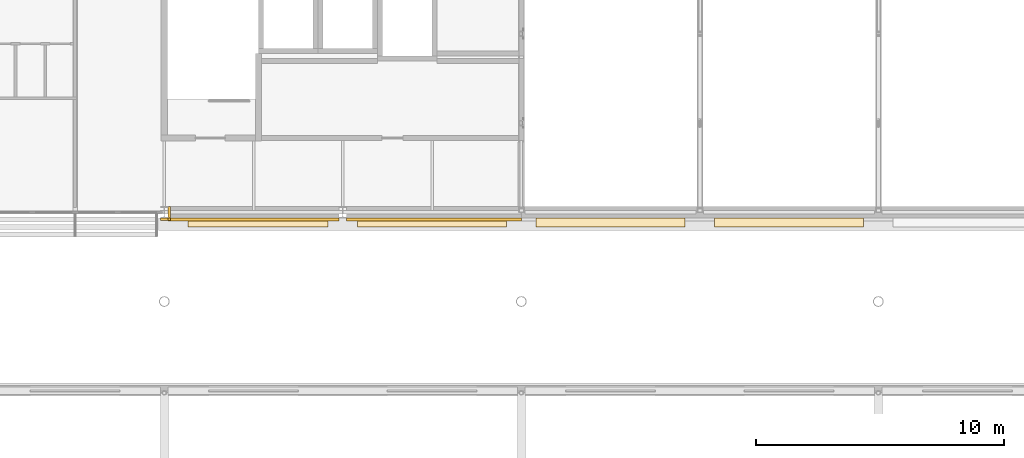
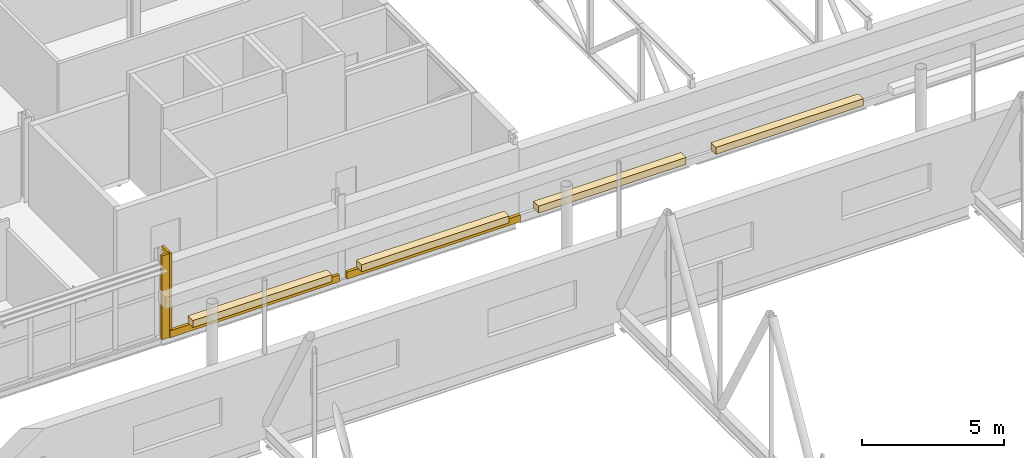
# One storey, part 136 of 142: 9 coverings.
"""IFC4 building model written with IfcOpenShell, lengths in metres."""

import ifcopenshell
import ifcopenshell.guid

model = None  # the IFC model being written
_history = None  # IfcOwnerHistory: only IFC2X3 demands one
_inside = {}  # id of a spatial element -> (the spatial element, [elements in it])
_under = {}  # id of a project, library or spatial element -> (it, [spatial elements below it])
_declared = {}  # id of a project -> (the project, [libraries it declares])
_typed = {}  # id of a type object -> (the type object, [elements of that type])
_made_of = {}  # id of a material, layer set ... -> (it, [elements and type objects made of it])


def new_model(schema):
    """Start an empty IFC model of exactly this schema.

    Asked for "IFC4X3", IfcOpenShell would pick the latest addendum, in which some entities
    have other attributes; the version numbers below select the first issue.
    IFC2X3 requires an IfcOwnerHistory on every rooted entity: one is made here for all.
    """
    global model, _history
    if schema == "IFC4X3":
        model = ifcopenshell.file(schema_version=(4, 3, 0, 0))
    else:
        model = ifcopenshell.file(schema=schema)
    _inside.clear()
    _under.clear()
    _declared.clear()
    _typed.clear()
    _made_of.clear()
    _history = None
    if model.schema == "IFC2X3":
        org = make("IfcOrganization", Name="unknown")
        user = make(
            "IfcPersonAndOrganization",
            ThePerson=make("IfcPerson", FamilyName="unknown"),
            TheOrganization=org,
        )
        app = make(
            "IfcApplication",
            ApplicationDeveloper=org,
            Version="unknown",
            ApplicationFullName="unknown",
            ApplicationIdentifier="unknown",
        )
        _history = make(
            "IfcOwnerHistory",
            OwningUser=user,
            OwningApplication=app,
            ChangeAction="ADDED",
            CreationDate=0,
        )
    return model


def make(cls, **values):
    """One entity of the class cls with the attributes given. An attribute that is None is left unset."""
    return model.create_entity(
        cls, **{name: value for name, value in values.items() if value is not None}
    )


def rooted(cls, **values):
    """An entity with a GlobalId (a new one), such as an element, a storey or a relation."""
    return make(cls, GlobalId=ifcopenshell.guid.new(), OwnerHistory=_history, **values)


def si_unit(unit_type, name, prefix=None):
    """IfcSIUnit, for example si_unit("LENGTHUNIT", "METRE", prefix="MILLI")."""
    return make("IfcSIUnit", UnitType=unit_type, Prefix=prefix, Name=name)


def assignment(units):
    """IfcUnitAssignment: the units of a project."""
    return None if units is None else make("IfcUnitAssignment", Units=units)


def point(xyz):
    """IfcCartesianPoint."""
    return None if xyz is None else make("IfcCartesianPoint", Coordinates=xyz)


def direction(xyz):
    """IfcDirection."""
    return None if xyz is None else make("IfcDirection", DirectionRatios=xyz)


def frame(location, z_axis=None, x_axis=None):
    """IfcAxis2Placement3D, a coordinate frame: its origin and axes. An axis left out is left unset."""
    return make(
        "IfcAxis2Placement3D",
        Location=point(location),
        Axis=direction(z_axis),
        RefDirection=direction(x_axis),
    )


def frame_2d(location, x_axis=None):
    """IfcAxis2Placement2D, a coordinate frame in the plane: its origin and x axis."""
    return make(
        "IfcAxis2Placement2D", Location=point(location), RefDirection=direction(x_axis)
    )


def origin():
    """The frame at (0, 0, 0) with its axes left unset."""
    return frame((0.0, 0.0, 0.0))


def origin_2d():
    """The frame at (0, 0) in the plane with its x axis left unset."""
    return frame_2d((0.0, 0.0))


def place(relative_to, where):
    """IfcLocalPlacement: puts the frame where relative to a parent placement (None: the world)."""
    return make(
        "IfcLocalPlacement", PlacementRelTo=relative_to, RelativePlacement=where
    )


def context(
    kind, dimensions, precision=None, world=None, true_north=None, identifier=None
):
    """IfcGeometricRepresentationContext, for example the 3D "Model" context."""
    return make(
        "IfcGeometricRepresentationContext",
        ContextIdentifier=identifier,
        ContextType=kind,
        CoordinateSpaceDimension=dimensions,
        Precision=precision,
        WorldCoordinateSystem=world,
        TrueNorth=true_north,
    )


def subcontext(parent, identifier, kind, view, scale=None):
    """IfcGeometricRepresentationSubContext, for example "Body" below "Model"."""
    return make(
        "IfcGeometricRepresentationSubContext",
        ContextIdentifier=identifier,
        ContextType=kind,
        ParentContext=parent,
        TargetScale=scale,
        TargetView=view,
    )


def project(units=None, contexts=None):
    """IfcProject with its units and contexts."""
    return rooted(
        "IfcProject",
        Name="project",
        RepresentationContexts=contexts,
        UnitsInContext=assignment(units),
    )


def spatial(cls, under=None, at=None, **own):
    """A site, building, storey or space (cls), placed at a placement, below another one or the project."""
    s = rooted(cls, ObjectPlacement=at, **own)
    if under is not None:
        _under.setdefault(under.id(), (under, []))[1].append(s)
    return s


def profile(cls, at=None, kind="AREA", **sizes):
    """A parametric profile (cls). Its sizes go by their IFC names, for example OverallWidth=200.0."""
    return make(cls, ProfileType=kind, Position=at, **sizes)


def rectangle(**sizes):
    """IfcRectangleProfileDef."""
    return profile("IfcRectangleProfileDef", **sizes)


def extrude(swept, where, along, depth):
    """IfcExtrudedAreaSolid: the profile swept, set in the frame where, extruded along a direction by depth."""
    return make(
        "IfcExtrudedAreaSolid",
        SweptArea=swept,
        Position=where,
        ExtrudedDirection=direction(along),
        Depth=depth,
    )


def shape(context_of_items, identifier, shape_type, items):
    """IfcShapeRepresentation: the items that make up one representation, for example the "Body"."""
    return make(
        "IfcShapeRepresentation",
        ContextOfItems=context_of_items,
        RepresentationIdentifier=identifier,
        RepresentationType=shape_type,
        Items=items,
    )


def material(Name=None, Category=None):
    """IfcMaterial."""
    return make("IfcMaterial", Name=Name, Category=Category)


def layer(
    of_material, thickness, ventilated=None, Name=None, Category=None, Priority=None
):
    """IfcMaterialLayer: one layer of a wall or slab, of a material (None: an air gap)."""
    return make(
        "IfcMaterialLayer",
        Material=of_material,
        LayerThickness=thickness,
        IsVentilated=ventilated,
        Name=Name,
        Category=Category,
        Priority=Priority,
    )


def layer_set(layers, Name=None):
    """IfcMaterialLayerSet."""
    return make("IfcMaterialLayerSet", MaterialLayers=layers, LayerSetName=Name)


def made_of(thing, what):
    """Note that an element or type object is made of a material, layer set ...; save() writes the relation."""
    if what is not None:
        _made_of.setdefault(what.id(), (what, []))[1].append(thing)
    return thing


def type_object(cls, material=None, **own):
    """A type object (cls), such as IfcWallType, which elements share."""
    return made_of(rooted(cls, **own), material)


def element(
    cls,
    number,
    at=None,
    inside=None,
    cuts=None,
    type_object=None,
    material=None,
    context=None,
    identifier="Body",
    shape_type=None,
    held_by="IfcProductDefinitionShape",
    body=None,
    shapes=None,
    **own,
):
    """One element of the class cls, such as IfcWall. Its Tag is "e" and its number.

    at: its placement. inside: the storey or other place that contains it. cuts: it is an
    opening in that element (IfcRelVoidsElement). A single representation is given by context,
    identifier, shape_type and body (its items); several are given by shapes. held_by: the class
    of the entity that holds the representations. save() writes the other relations.
    """
    e = rooted(cls, Tag="e%d" % number, ObjectPlacement=at, **own)
    if body is not None:
        shapes = [shape(context, identifier, shape_type, body)]
    if shapes is not None:
        e.Representation = make(held_by, Representations=shapes)
    if inside is not None:
        _inside.setdefault(inside.id(), (inside, []))[1].append(e)
    if cuts is not None:
        rooted(
            "IfcRelVoidsElement", RelatingBuildingElement=cuts, RelatedOpeningElement=e
        )
    if type_object is not None:
        _typed.setdefault(type_object.id(), (type_object, []))[1].append(e)
    return made_of(e, material)


def aggregate(whole, parts):
    """IfcRelAggregates: a whole, such as a stair, and the parts it consists of."""
    return rooted("IfcRelAggregates", RelatingObject=whole, RelatedObjects=parts)


def save(model, path):
    """Write the relations noted so far, then the file.

    IfcRelAggregates (storeys below a building ...), IfcRelContainedInSpatialStructure (elements
    in a storey), IfcRelDefinesByType, IfcRelAssociatesMaterial and IfcRelDeclares: one each for
    every whole, place, type object, material and project.
    """
    for whole, parts in _under.values():
        aggregate(whole, parts)
    for where, things in _inside.values():
        rooted(
            "IfcRelContainedInSpatialStructure",
            RelatedElements=things,
            RelatingStructure=where,
        )
    for kind, things in _typed.values():
        rooted("IfcRelDefinesByType", RelatedObjects=things, RelatingType=kind)
    for what, things in _made_of.values():
        rooted("IfcRelAssociatesMaterial", RelatedObjects=things, RelatingMaterial=what)
    for by, libraries in _declared.values():
        rooted("IfcRelDeclares", RelatingContext=by, RelatedDefinitions=libraries)
    model.write(path)


model = new_model("IFC4")

# Units and contexts
model_context = context("Model", 3, precision=1e-05, world=origin(), true_north=direction((0.0, 1.0)))
body_context = subcontext(model_context, "Body", "Model", "MODEL_VIEW")
ifc_project = project(units=[si_unit("LENGTHUNIT", "METRE"), si_unit("AREAUNIT", "SQUARE_METRE"), si_unit("VOLUMEUNIT", "CUBIC_METRE"), si_unit("PLANEANGLEUNIT", "RADIAN"), si_unit("MASSUNIT", "GRAM", prefix="KILO")], contexts=[model_context])

# Site, building, storey
site_placement = place(None, origin())
site = spatial("IfcSite", under=ifc_project, at=site_placement, CompositionType="ELEMENT")
building_placement = place(site_placement, origin())
building = spatial("IfcBuilding", under=site, at=building_placement, Name="Kupolbacken Congress Centre", CompositionType="ELEMENT")
storey_placement = place(building_placement, frame((0.0, 0.0, 14.39990234375)))
storey = spatial("IfcBuildingStorey", under=building, at=storey_placement, Name="L04", CompositionType="ELEMENT", Elevation=14.39990234375)

# Coverings
ifc_material_1 = material(Name="Limestone cladding", Category="masonry")
ifc_layer_1 = layer(ifc_material_1, 0.1201171875)
ifc_layer_set_1 = layer_set([ifc_layer_1], Name="Limestone cladding")
covering_type_1 = type_object("IfcCoveringType", Name="CV1 limestone cladding band 120", PredefinedType="CLADDING", material=ifc_layer_set_1)
covering_1_placement = place(storey_placement, frame((140.39990234375, 122.10009765625, 0.0), z_axis=(0.0, 0.0, 1.0), x_axis=(1.0, 0.0, 0.0)))
element("IfcCovering", 1, at=covering_1_placement, inside=storey, type_object=covering_type_1, Name="E/BF/S/L04/404/band", PredefinedType="CLADDING", context=body_context, shape_type="SweptSolid", body=[
    extrude(rectangle(XDim=6.89990234375, YDim=0.1201171875, at=origin_2d()), origin(), (0.0, 0.0, 1.0), 0.300048828125),
])
covering_2_placement = place(storey_placement, frame((147.675048828125, 122.10009765625, 0.0), z_axis=(0.0, 0.0, 1.0), x_axis=(1.0, 0.0, 0.0)))
element("IfcCovering", 2, at=covering_2_placement, inside=storey, type_object=covering_type_1, Name="E/BF/S/L04/405/band", PredefinedType="CLADDING", context=body_context, shape_type="SweptSolid", body=[
    extrude(rectangle(XDim=7.050048828125, YDim=0.1201171875, at=origin_2d()), origin(), (0.0, 0.0, 1.0), 0.300048828125),
])
covering_3_placement = place(storey_placement, frame((137.0, 122.125, 0.0), z_axis=(0.0, 0.0, 1.0), x_axis=(1.0, 0.0, 0.0)))
element("IfcCovering", 3, at=covering_3_placement, inside=storey, type_object=covering_type_1, Name="E/T/pilaster/L04/C-T-20T/corner", PredefinedType="CLADDING", context=body_context, shape_type="SweptSolid", body=[
    extrude(rectangle(XDim=0.10009765625, YDim=0.10009765625, at=origin_2d()), origin(), (0.0, 0.0, 1.0), 3.60009765625),
])
covering_4_placement = place(storey_placement, frame((137.0, 122.39990234375, 0.0), z_axis=(0.0, 0.0, 1.0), x_axis=(1.0, 0.0, 0.0)))
element("IfcCovering", 4, at=covering_4_placement, inside=storey, type_object=covering_type_1, Name="E/T/pilaster/L04/C-T-20T/E", PredefinedType="CLADDING", context=body_context, shape_type="SweptSolid", body=[
    extrude(rectangle(XDim=0.10009765625, YDim=0.449951171875, at=origin_2d()), origin(), (0.0, 0.0, 1.0), 3.60009765625),
])
covering_5_placement = place(storey_placement, frame((136.800048828125, 122.125, 0.0), z_axis=(0.0, 0.0, 1.0), x_axis=(1.0, 0.0, 0.0)))
element("IfcCovering", 5, at=covering_5_placement, inside=storey, type_object=covering_type_1, Name="E/T/pilaster/L04/C-T-20T/S", PredefinedType="CLADDING", context=body_context, shape_type="SweptSolid", body=[
    extrude(rectangle(XDim=0.300048828125, YDim=0.10009765625, at=origin_2d()), origin(), (0.0, 0.0, 1.0), 3.60009765625),
])
ifc_material_2 = material(Name="Limestone cladding", Category="masonry")
ifc_layer_2 = layer(ifc_material_2, 0.35009765625)
ifc_layer_set_2 = layer_set([ifc_layer_2], Name="Limestone cladding")
covering_type_2 = type_object("IfcCoveringType", Name="CV3 limestone pilaster strip 350", PredefinedType="CLADDING", material=ifc_layer_set_2)
covering_6_placement = place(storey_placement, frame((140.580078125, 121.985107421875, 0.30029296875), z_axis=(0.0, 0.0, 1.0), x_axis=(1.0, 0.0, 0.0)))
element("IfcCovering", 6, at=covering_6_placement, inside=storey, type_object=covering_type_2, Name="F/B/S/string/00", PredefinedType="CLADDING", context=body_context, shape_type="SweptSolid", body=[
    extrude(rectangle(XDim=5.639892578125, YDim=0.35009765625, at=origin_2d()), origin(), (0.0, 0.0, 1.0), 0.300048828125),
])
for number, where, z_axis, x_axis, name in (
    (7, (147.60009765625, 121.985107421875, 0.30029296875), (0.0, 0.0, 1.0), (1.0, 0.0, 0.0), "F/B/S/string/01"),
    (8, (154.800048828125, 121.985107421875, 0.30029296875), (0.0, 0.0, 1.0), (1.0, 0.0, 0.0), "F/B/S/string/02"),
    (9, (162.0, 121.985107421875, 0.30029296875), (0.0, 0.0, 1.0), (1.0, 0.0, 0.0), "F/B/S/string/03"),
):
    element("IfcCovering", number, at=place(storey_placement, frame(where, z_axis=z_axis, x_axis=x_axis)), inside=storey, type_object=covering_type_2, Name=name, PredefinedType="CLADDING", context=body_context, shape_type="SweptSolid", body=[
        extrude(rectangle(XDim=6.0, YDim=0.35009765625, at=origin_2d()), origin(), (0.0, 0.0, 1.0), 0.300048828125),
    ])

save(model, "model.ifc")
